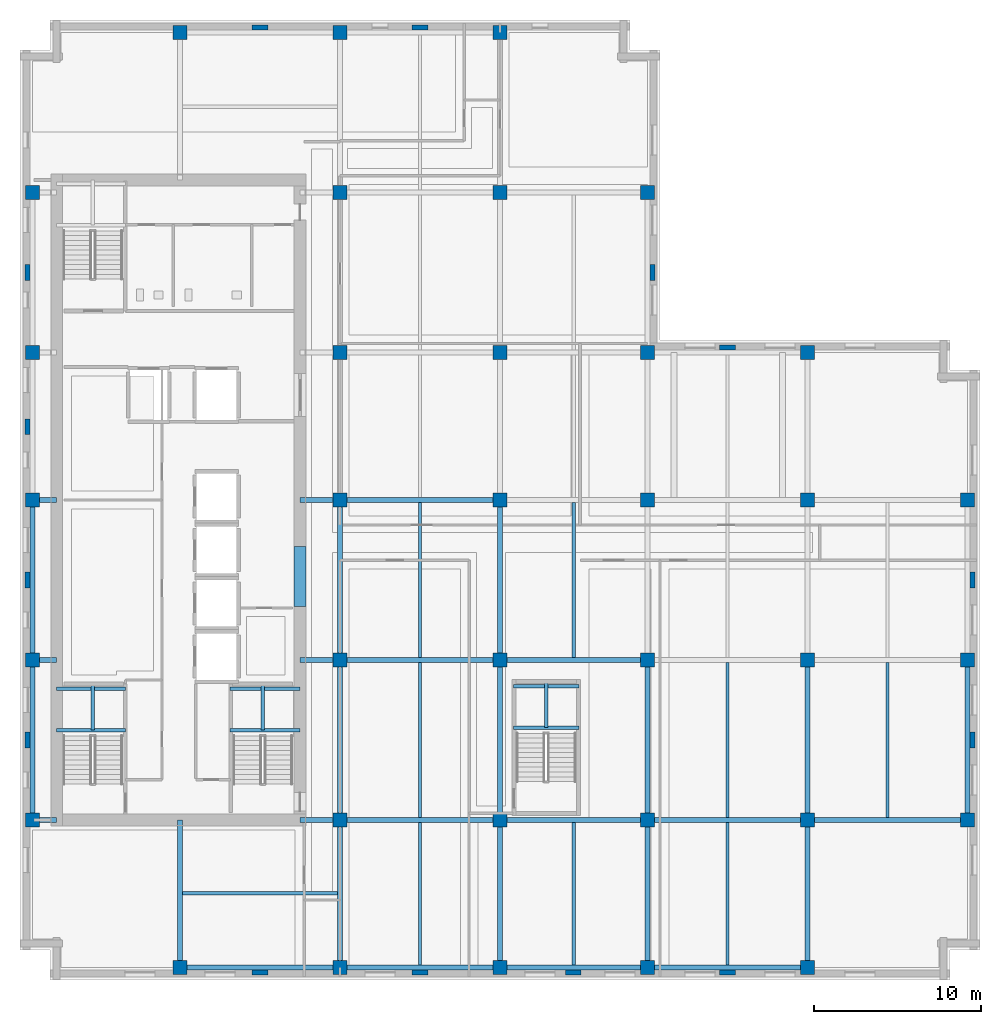
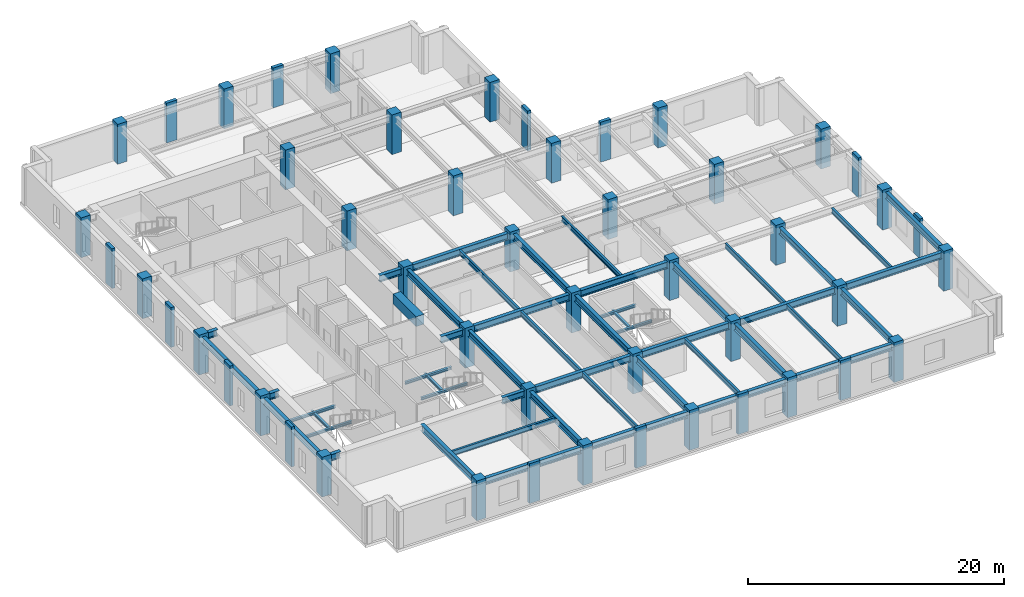
# One storey, part 1 of 14: 50 beams, 49 columns.
"""IFC4 building model written with IfcOpenShell, lengths in metres."""

import ifcopenshell
import ifcopenshell.guid

model = None  # the IFC model being written
_history = None  # IfcOwnerHistory: only IFC2X3 demands one
_inside = {}  # id of a spatial element -> (the spatial element, [elements in it])
_under = {}  # id of a project, library or spatial element -> (it, [spatial elements below it])
_declared = {}  # id of a project -> (the project, [libraries it declares])
_typed = {}  # id of a type object -> (the type object, [elements of that type])
_made_of = {}  # id of a material, layer set ... -> (it, [elements and type objects made of it])


def new_model(schema):
    """Start an empty IFC model of exactly this schema.

    Asked for "IFC4X3", IfcOpenShell would pick the latest addendum, in which some entities
    have other attributes; the version numbers below select the first issue.
    IFC2X3 requires an IfcOwnerHistory on every rooted entity: one is made here for all.
    """
    global model, _history
    if schema == "IFC4X3":
        model = ifcopenshell.file(schema_version=(4, 3, 0, 0))
    else:
        model = ifcopenshell.file(schema=schema)
    _inside.clear()
    _under.clear()
    _declared.clear()
    _typed.clear()
    _made_of.clear()
    _history = None
    if model.schema == "IFC2X3":
        org = make("IfcOrganization", Name="unknown")
        user = make(
            "IfcPersonAndOrganization",
            ThePerson=make("IfcPerson", FamilyName="unknown"),
            TheOrganization=org,
        )
        app = make(
            "IfcApplication",
            ApplicationDeveloper=org,
            Version="unknown",
            ApplicationFullName="unknown",
            ApplicationIdentifier="unknown",
        )
        _history = make(
            "IfcOwnerHistory",
            OwningUser=user,
            OwningApplication=app,
            ChangeAction="ADDED",
            CreationDate=0,
        )
    return model


def make(cls, **values):
    """One entity of the class cls with the attributes given. An attribute that is None is left unset."""
    return model.create_entity(
        cls, **{name: value for name, value in values.items() if value is not None}
    )


def rooted(cls, **values):
    """An entity with a GlobalId (a new one), such as an element, a storey or a relation."""
    return make(cls, GlobalId=ifcopenshell.guid.new(), OwnerHistory=_history, **values)


def si_unit(unit_type, name, prefix=None):
    """IfcSIUnit, for example si_unit("LENGTHUNIT", "METRE", prefix="MILLI")."""
    return make("IfcSIUnit", UnitType=unit_type, Prefix=prefix, Name=name)


def assignment(units):
    """IfcUnitAssignment: the units of a project."""
    return None if units is None else make("IfcUnitAssignment", Units=units)


def point(xyz):
    """IfcCartesianPoint."""
    return None if xyz is None else make("IfcCartesianPoint", Coordinates=xyz)


def direction(xyz):
    """IfcDirection."""
    return None if xyz is None else make("IfcDirection", DirectionRatios=xyz)


def frame(location, z_axis=None, x_axis=None):
    """IfcAxis2Placement3D, a coordinate frame: its origin and axes. An axis left out is left unset."""
    return make(
        "IfcAxis2Placement3D",
        Location=point(location),
        Axis=direction(z_axis),
        RefDirection=direction(x_axis),
    )


def frame_2d(location, x_axis=None):
    """IfcAxis2Placement2D, a coordinate frame in the plane: its origin and x axis."""
    return make(
        "IfcAxis2Placement2D", Location=point(location), RefDirection=direction(x_axis)
    )


def origin():
    """The frame at (0, 0, 0) with its axes left unset."""
    return frame((0.0, 0.0, 0.0))


def origin_2d():
    """The frame at (0, 0) in the plane with its x axis left unset."""
    return frame_2d((0.0, 0.0))


def place(relative_to, where):
    """IfcLocalPlacement: puts the frame where relative to a parent placement (None: the world)."""
    return make(
        "IfcLocalPlacement", PlacementRelTo=relative_to, RelativePlacement=where
    )


def context(
    kind, dimensions, precision=None, world=None, true_north=None, identifier=None
):
    """IfcGeometricRepresentationContext, for example the 3D "Model" context."""
    return make(
        "IfcGeometricRepresentationContext",
        ContextIdentifier=identifier,
        ContextType=kind,
        CoordinateSpaceDimension=dimensions,
        Precision=precision,
        WorldCoordinateSystem=world,
        TrueNorth=true_north,
    )


def subcontext(parent, identifier, kind, view, scale=None):
    """IfcGeometricRepresentationSubContext, for example "Body" below "Model"."""
    return make(
        "IfcGeometricRepresentationSubContext",
        ContextIdentifier=identifier,
        ContextType=kind,
        ParentContext=parent,
        TargetScale=scale,
        TargetView=view,
    )


def project(units=None, contexts=None):
    """IfcProject with its units and contexts."""
    return rooted(
        "IfcProject",
        Name="project",
        RepresentationContexts=contexts,
        UnitsInContext=assignment(units),
    )


def spatial(cls, under=None, at=None, **own):
    """A site, building, storey or space (cls), placed at a placement, below another one or the project."""
    s = rooted(cls, ObjectPlacement=at, **own)
    if under is not None:
        _under.setdefault(under.id(), (under, []))[1].append(s)
    return s


def profile(cls, at=None, kind="AREA", **sizes):
    """A parametric profile (cls). Its sizes go by their IFC names, for example OverallWidth=200.0."""
    return make(cls, ProfileType=kind, Position=at, **sizes)


def rectangle(**sizes):
    """IfcRectangleProfileDef."""
    return profile("IfcRectangleProfileDef", **sizes)


def i_section(**sizes):
    """IfcIShapeProfileDef."""
    return profile("IfcIShapeProfileDef", **sizes)


def extrude(swept, where, along, depth):
    """IfcExtrudedAreaSolid: the profile swept, set in the frame where, extruded along a direction by depth."""
    return make(
        "IfcExtrudedAreaSolid",
        SweptArea=swept,
        Position=where,
        ExtrudedDirection=direction(along),
        Depth=depth,
    )


def shape(context_of_items, identifier, shape_type, items):
    """IfcShapeRepresentation: the items that make up one representation, for example the "Body"."""
    return make(
        "IfcShapeRepresentation",
        ContextOfItems=context_of_items,
        RepresentationIdentifier=identifier,
        RepresentationType=shape_type,
        Items=items,
    )


def material(Name=None, Category=None):
    """IfcMaterial."""
    return make("IfcMaterial", Name=Name, Category=Category)


def material_profile(
    of_material, cross_section, Name=None, Category=None, Priority=None
):
    """IfcMaterialProfile: a cross section and its material."""
    return make(
        "IfcMaterialProfile",
        Name=Name,
        Material=of_material,
        Profile=cross_section,
        Priority=Priority,
        Category=Category,
    )


def profile_set(profiles, Name=None, composite=None):
    """IfcMaterialProfileSet."""
    return make(
        "IfcMaterialProfileSet",
        Name=Name,
        MaterialProfiles=profiles,
        CompositeProfile=composite,
    )


def made_of(thing, what):
    """Note that an element or type object is made of a material, layer set ...; save() writes the relation."""
    if what is not None:
        _made_of.setdefault(what.id(), (what, []))[1].append(thing)
    return thing


def type_object(cls, material=None, **own):
    """A type object (cls), such as IfcWallType, which elements share."""
    return made_of(rooted(cls, **own), material)


def element(
    cls,
    number,
    at=None,
    inside=None,
    cuts=None,
    type_object=None,
    material=None,
    context=None,
    identifier="Body",
    shape_type=None,
    held_by="IfcProductDefinitionShape",
    body=None,
    shapes=None,
    **own,
):
    """One element of the class cls, such as IfcWall. Its Tag is "e" and its number.

    at: its placement. inside: the storey or other place that contains it. cuts: it is an
    opening in that element (IfcRelVoidsElement). A single representation is given by context,
    identifier, shape_type and body (its items); several are given by shapes. held_by: the class
    of the entity that holds the representations. save() writes the other relations.
    """
    e = rooted(cls, Tag="e%d" % number, ObjectPlacement=at, **own)
    if body is not None:
        shapes = [shape(context, identifier, shape_type, body)]
    if shapes is not None:
        e.Representation = make(held_by, Representations=shapes)
    if inside is not None:
        _inside.setdefault(inside.id(), (inside, []))[1].append(e)
    if cuts is not None:
        rooted(
            "IfcRelVoidsElement", RelatingBuildingElement=cuts, RelatedOpeningElement=e
        )
    if type_object is not None:
        _typed.setdefault(type_object.id(), (type_object, []))[1].append(e)
    return made_of(e, material)


def aggregate(whole, parts):
    """IfcRelAggregates: a whole, such as a stair, and the parts it consists of."""
    return rooted("IfcRelAggregates", RelatingObject=whole, RelatedObjects=parts)


def save(model, path):
    """Write the relations noted so far, then the file.

    IfcRelAggregates (storeys below a building ...), IfcRelContainedInSpatialStructure (elements
    in a storey), IfcRelDefinesByType, IfcRelAssociatesMaterial and IfcRelDeclares: one each for
    every whole, place, type object, material and project.
    """
    for whole, parts in _under.values():
        aggregate(whole, parts)
    for where, things in _inside.values():
        rooted(
            "IfcRelContainedInSpatialStructure",
            RelatedElements=things,
            RelatingStructure=where,
        )
    for kind, things in _typed.values():
        rooted("IfcRelDefinesByType", RelatedObjects=things, RelatingType=kind)
    for what, things in _made_of.values():
        rooted("IfcRelAssociatesMaterial", RelatedObjects=things, RelatingMaterial=what)
    for by, libraries in _declared.values():
        rooted("IfcRelDeclares", RelatingContext=by, RelatedDefinitions=libraries)
    model.write(path)


model = new_model("IFC4")

# Units and contexts
model_context = context("Model", 3, precision=1e-05, world=origin(), true_north=direction((0.0, 1.0)))
body_context = subcontext(model_context, "Body", "Model", "MODEL_VIEW")
ifc_project = project(units=[si_unit("LENGTHUNIT", "METRE"), si_unit("AREAUNIT", "SQUARE_METRE"), si_unit("VOLUMEUNIT", "CUBIC_METRE"), si_unit("PLANEANGLEUNIT", "RADIAN"), si_unit("MASSUNIT", "GRAM", prefix="KILO")], contexts=[model_context])

# Site, building, storey
site_placement = place(None, origin())
site = spatial("IfcSite", under=ifc_project, at=site_placement, CompositionType="ELEMENT")
building_placement = place(site_placement, origin())
building = spatial("IfcBuilding", under=site, at=building_placement, Name="Norrvale University Quadrangle", CompositionType="ELEMENT")
storey_placement = place(building_placement, frame((0.0, 0.0, 218.0)))
storey = spatial("IfcBuildingStorey", under=building, at=storey_placement, Name="L55", CompositionType="ELEMENT", Elevation=218.0)

# Columns
ifc_material_1 = material(Name="Red Manganese Brick Concrete C60/75", Category="concrete")
ifc_material_profile_1 = material_profile(ifc_material_1, rectangle(XDim=0.949951171875, YDim=0.300048828125, at=origin_2d()), Name="Red Manganese Brick Concrete C60/75")
ifc_profile_set_1 = profile_set([ifc_material_profile_1], Name="Red Manganese Brick Concrete C60/75")
column_type_1 = type_object("IfcColumnType", Name="Column Brick Pier 950x300", PredefinedType="PILASTER", material=ifc_profile_set_1)
for number, where, z_axis, x_axis, name in (
    (1, (0.449951171875, 14.39990234375, 0.0), (0.0, 0.0, 1.0), (0.0, 1.0, 0.0), "Exterior Brick Facade Pilaster L55-01"),
    (2, (0.449951171875, 24.0, 0.0), (0.0, 0.0, 1.0), (0.0, 1.0, 0.0), "Exterior Brick Facade Pilaster L55-02"),
    (3, (0.449951171875, 33.199951171875, 0.0), (0.0, 0.0, 1.0), (0.0, 1.0, 0.0), "Exterior Brick Facade Pilaster L55-03"),
    (4, (0.449951171875, 42.449951171875, 0.0), (0.0, 0.0, 1.0), (0.0, 1.0, 0.0), "Exterior Brick Facade Pilaster L55-04"),
    (5, (14.39990234375, 0.449951171875, 0.0), (0.0, 0.0, 1.0), (1.0, 0.0, 0.0), "Exterior Brick Facade Pilaster L55-05"),
    (6, (24.0, 0.449951171875, 0.0), (0.0, 0.0, 1.0), (1.0, 0.0, 0.0), "Exterior Brick Facade Pilaster L55-06"),
    (7, (33.199951171875, 0.449951171875, 0.0), (0.0, 0.0, 1.0), (1.0, 0.0, 0.0), "Exterior Brick Facade Pilaster L55-07"),
    (8, (42.449951171875, 0.449951171875, 0.0), (0.0, 0.0, 1.0), (1.0, 0.0, 0.0), "Exterior Brick Facade Pilaster L55-08"),
    (9, (57.14990234375, 14.39990234375, 0.0), (0.0, 0.0, 1.0), (0.0, 1.0, 0.0), "Exterior Brick Facade Pilaster L55-09"),
    (10, (57.14990234375, 24.0, 0.0), (0.0, 0.0, 1.0), (0.0, 1.0, 0.0), "Exterior Brick Facade Pilaster L55-10"),
    (11, (14.39990234375, 57.14990234375, 0.0), (0.0, 0.0, 1.0), (1.0, 0.0, 0.0), "Exterior Brick Facade Pilaster L55-11"),
    (12, (24.0, 57.14990234375, 0.0), (0.0, 0.0, 1.0), (1.0, 0.0, 0.0), "Exterior Brick Facade Pilaster L55-12"),
    (13, (37.949951171875, 42.449951171875, 0.0), (0.0, 0.0, 1.0), (0.0, 1.0, 0.0), "Exterior Brick Facade Pilaster L55-13"),
    (14, (42.449951171875, 37.949951171875, 0.0), (0.0, 0.0, 1.0), (1.0, 0.0, 0.0), "Exterior Brick Facade Pilaster L55-14"),
):
    element("IfcColumn", number, at=place(storey_placement, frame(where, z_axis=z_axis, x_axis=x_axis)), inside=storey, type_object=column_type_1, Name=name, PredefinedType="PILASTER", context=body_context, shape_type="SweptSolid", body=[
        extrude(rectangle(XDim=0.949951171875, YDim=0.300048828125, at=origin_2d()), origin(), (0.0, 0.0, 1.0), 3.800048828125),
    ])
ifc_material_2 = material(Name="Concrete C60/75", Category="concrete")
ifc_material_profile_2 = material_profile(ifc_material_2, rectangle(XDim=0.85009765625, YDim=0.85009765625, at=origin_2d()), Name="Concrete C60/75")
ifc_profile_set_2 = profile_set([ifc_material_profile_2], Name="Concrete C60/75")
column_type_2 = type_object("IfcColumnType", Name="Column Tower Z3 850x850", PredefinedType="COLUMN", material=ifc_profile_set_2)
for number, where, z_axis, x_axis, name in (
    (15, (0.75, 9.60009765625, 0.0), (0.0, 0.0, 1.0), (1.0, 0.0, 0.0), "Tower Column L55-T01"),
    (16, (0.75, 19.199951171875, 0.0), (0.0, 0.0, 1.0), (1.0, 0.0, 0.0), "Tower Column L55-T02"),
    (17, (0.75, 28.800048828125, 0.0), (0.0, 0.0, 1.0), (1.0, 0.0, 0.0), "Tower Column L55-T03"),
    (18, (0.75, 37.64990234375, 0.0), (0.0, 0.0, 1.0), (1.0, 0.0, 0.0), "Tower Column L55-T04"),
    (19, (0.75, 47.25, 0.0), (0.0, 0.0, 1.0), (1.0, 0.0, 0.0), "Tower Column L55-T05"),
    (20, (9.60009765625, 0.75, 0.0), (0.0, 0.0, 1.0), (1.0, 0.0, 0.0), "Tower Column L55-T06"),
    (21, (9.60009765625, 56.85009765625, 0.0), (0.0, 0.0, 1.0), (1.0, 0.0, 0.0), "Tower Column L55-T07"),
    (22, (19.199951171875, 0.75, 0.0), (0.0, 0.0, 1.0), (1.0, 0.0, 0.0), "Tower Column L55-T08"),
    (23, (19.199951171875, 9.60009765625, 0.0), (0.0, 0.0, 1.0), (1.0, 0.0, 0.0), "Tower Column L55-T09"),
    (24, (19.199951171875, 19.199951171875, 0.0), (0.0, 0.0, 1.0), (1.0, 0.0, 0.0), "Tower Column L55-T10"),
    (25, (19.199951171875, 28.800048828125, 0.0), (0.0, 0.0, 1.0), (1.0, 0.0, 0.0), "Tower Column L55-T11"),
    (26, (19.199951171875, 37.64990234375, 0.0), (0.0, 0.0, 1.0), (1.0, 0.0, 0.0), "Tower Column L55-T12"),
    (27, (19.199951171875, 47.25, 0.0), (0.0, 0.0, 1.0), (1.0, 0.0, 0.0), "Tower Column L55-T13"),
    (28, (19.199951171875, 56.85009765625, 0.0), (0.0, 0.0, 1.0), (1.0, 0.0, 0.0), "Tower Column L55-T14"),
    (29, (28.800048828125, 0.75, 0.0), (0.0, 0.0, 1.0), (1.0, 0.0, 0.0), "Tower Column L55-T15"),
    (30, (28.800048828125, 9.60009765625, 0.0), (0.0, 0.0, 1.0), (1.0, 0.0, 0.0), "Tower Column L55-T16"),
    (31, (28.800048828125, 19.199951171875, 0.0), (0.0, 0.0, 1.0), (1.0, 0.0, 0.0), "Tower Column L55-T17"),
    (32, (28.800048828125, 28.800048828125, 0.0), (0.0, 0.0, 1.0), (1.0, 0.0, 0.0), "Tower Column L55-T18"),
    (33, (28.800048828125, 37.64990234375, 0.0), (0.0, 0.0, 1.0), (1.0, 0.0, 0.0), "Tower Column L55-T19"),
    (34, (28.800048828125, 47.25, 0.0), (0.0, 0.0, 1.0), (1.0, 0.0, 0.0), "Tower Column L55-T20"),
    (35, (28.800048828125, 56.85009765625, 0.0), (0.0, 0.0, 1.0), (1.0, 0.0, 0.0), "Tower Column L55-T21"),
    (36, (37.64990234375, 0.75, 0.0), (0.0, 0.0, 1.0), (1.0, 0.0, 0.0), "Tower Column L55-T22"),
    (37, (37.64990234375, 9.60009765625, 0.0), (0.0, 0.0, 1.0), (1.0, 0.0, 0.0), "Tower Column L55-T23"),
    (38, (37.64990234375, 19.199951171875, 0.0), (0.0, 0.0, 1.0), (1.0, 0.0, 0.0), "Tower Column L55-T24"),
    (39, (37.64990234375, 28.800048828125, 0.0), (0.0, 0.0, 1.0), (1.0, 0.0, 0.0), "Tower Column L55-T25"),
    (40, (37.64990234375, 37.64990234375, 0.0), (0.0, 0.0, 1.0), (1.0, 0.0, 0.0), "Tower Column L55-T26"),
    (41, (37.64990234375, 47.25, 0.0), (0.0, 0.0, 1.0), (1.0, 0.0, 0.0), "Tower Column L55-T27"),
    (42, (47.25, 0.75, 0.0), (0.0, 0.0, 1.0), (1.0, 0.0, 0.0), "Tower Column L55-T28"),
    (43, (47.25, 9.60009765625, 0.0), (0.0, 0.0, 1.0), (1.0, 0.0, 0.0), "Tower Column L55-T29"),
    (44, (47.25, 19.199951171875, 0.0), (0.0, 0.0, 1.0), (1.0, 0.0, 0.0), "Tower Column L55-T30"),
    (45, (47.25, 28.800048828125, 0.0), (0.0, 0.0, 1.0), (1.0, 0.0, 0.0), "Tower Column L55-T31"),
    (46, (47.25, 37.64990234375, 0.0), (0.0, 0.0, 1.0), (1.0, 0.0, 0.0), "Tower Column L55-T32"),
    (47, (56.85009765625, 9.60009765625, 0.0), (0.0, 0.0, 1.0), (1.0, 0.0, 0.0), "Tower Column L55-T33"),
    (48, (56.85009765625, 19.199951171875, 0.0), (0.0, 0.0, 1.0), (1.0, 0.0, 0.0), "Tower Column L55-T34"),
    (49, (56.85009765625, 28.800048828125, 0.0), (0.0, 0.0, 1.0), (1.0, 0.0, 0.0), "Tower Column L55-T35"),
):
    element("IfcColumn", number, at=place(storey_placement, frame(where, z_axis=z_axis, x_axis=x_axis)), inside=storey, type_object=column_type_2, Name=name, PredefinedType="COLUMN", context=body_context, shape_type="SweptSolid", body=[
        extrude(rectangle(XDim=0.85009765625, YDim=0.85009765625, at=origin_2d()), origin(), (0.0, 0.0, 1.0), 3.800048828125),
    ])

# Beams
ifc_material_3 = material(Name="Steel 350W", Category="steel")
ifc_material_profile_3 = material_profile(ifc_material_3, i_section(OverallWidth=0.324951171875, OverallDepth=0.615966796875, WebThickness=0.013916015625, FlangeThickness=0.021484375, FilletRadius=0.01611328125, at=origin_2d()), Name="Steel 350W")
ifc_profile_set_3 = profile_set([ifc_material_profile_3], Name="Steel 350W")
beam_type_1 = type_object("IfcBeamType", Name="Beam Belt W610x174", PredefinedType="BEAM", material=ifc_profile_set_3)
beam_1_placement = place(storey_placement, frame((9.60009765625, 0.75, 3.23193359375), z_axis=(1.0, 0.0, 0.0), x_axis=(0.0, 1.0, 0.0)))
element("IfcBeam", 50, at=beam_1_placement, inside=storey, type_object=beam_type_1, Name="Beam Belt W610x174 BM-L55-GX001", PredefinedType="BEAM", context=body_context, shape_type="SweptSolid", body=[
    extrude(i_section(OverallWidth=0.324951171875, OverallDepth=0.615966796875, WebThickness=0.013916015625, FlangeThickness=0.021484375, FilletRadius=0.01611328125, at=origin_2d()), origin(), (0.0, 0.0, 1.0), 9.599853515625),
])
beam_2_placement = place(storey_placement, frame((19.199951171875, 0.75, 3.23193359375), z_axis=(1.0, 0.0, 0.0), x_axis=(0.0, 1.0, 0.0)))
element("IfcBeam", 51, at=beam_2_placement, inside=storey, type_object=beam_type_1, Name="Beam Belt W610x174 BM-L55-GX002", PredefinedType="BEAM", context=body_context, shape_type="SweptSolid", body=[
    extrude(i_section(OverallWidth=0.324951171875, OverallDepth=0.615966796875, WebThickness=0.013916015625, FlangeThickness=0.021484375, FilletRadius=0.01611328125, at=origin_2d()), origin(), (0.0, 0.0, 1.0), 9.60009765625),
])
beam_3_placement = place(storey_placement, frame((28.800048828125, 0.75, 3.23193359375), z_axis=(1.0, 0.0, 0.0), x_axis=(0.0, 1.0, 0.0)))
element("IfcBeam", 52, at=beam_3_placement, inside=storey, type_object=beam_type_1, Name="Beam Belt W610x174 BM-L55-GX003", PredefinedType="BEAM", context=body_context, shape_type="SweptSolid", body=[
    extrude(i_section(OverallWidth=0.324951171875, OverallDepth=0.615966796875, WebThickness=0.013916015625, FlangeThickness=0.021484375, FilletRadius=0.01611328125, at=origin_2d()), origin(), (0.0, 0.0, 1.0), 8.849853515625),
])
for number, where, z_axis, x_axis, name in (
    (53, (37.64990234375, 0.75, 3.23193359375), (1.0, 0.0, 0.0), (0.0, 1.0, 0.0), "Beam Belt W610x174 BM-L55-GX004"),
    (54, (19.199951171875, 9.60009765625, 3.23193359375), (1.0, 0.0, 0.0), (0.0, 1.0, 0.0), "Beam Belt W610x174 BM-L55-GX005"),
):
    element("IfcBeam", number, at=place(storey_placement, frame(where, z_axis=z_axis, x_axis=x_axis)), inside=storey, type_object=beam_type_1, Name=name, PredefinedType="BEAM", context=body_context, shape_type="SweptSolid", body=[
        extrude(i_section(OverallWidth=0.324951171875, OverallDepth=0.615966796875, WebThickness=0.013916015625, FlangeThickness=0.021484375, FilletRadius=0.01611328125, at=origin_2d()), origin(), (0.0, 0.0, 1.0), 9.60009765625),
    ])
beam_4_placement = place(storey_placement, frame((28.800048828125, 9.60009765625, 3.23193359375), z_axis=(1.0, 0.0, 0.0), x_axis=(0.0, 1.0, 0.0)))
element("IfcBeam", 55, at=beam_4_placement, inside=storey, type_object=beam_type_1, Name="Beam Belt W610x174 BM-L55-GX006", PredefinedType="BEAM", context=body_context, shape_type="SweptSolid", body=[
    extrude(i_section(OverallWidth=0.324951171875, OverallDepth=0.615966796875, WebThickness=0.013916015625, FlangeThickness=0.021484375, FilletRadius=0.01611328125, at=origin_2d()), origin(), (0.0, 0.0, 1.0), 8.849853515625),
])
for number, where, z_axis, x_axis, name in (
    (56, (37.64990234375, 9.60009765625, 3.23193359375), (1.0, 0.0, 0.0), (0.0, 1.0, 0.0), "Beam Belt W610x174 BM-L55-GX007"),
    (57, (47.25, 9.60009765625, 3.23193359375), (1.0, 0.0, 0.0), (0.0, 1.0, 0.0), "Beam Belt W610x174 BM-L55-GX008"),
    (58, (19.199951171875, 19.199951171875, 3.23193359375), (1.0, 0.0, 0.0), (0.0, 1.0, 0.0), "Beam Belt W610x174 BM-L55-GX009"),
):
    element("IfcBeam", number, at=place(storey_placement, frame(where, z_axis=z_axis, x_axis=x_axis)), inside=storey, type_object=beam_type_1, Name=name, PredefinedType="BEAM", context=body_context, shape_type="SweptSolid", body=[
        extrude(i_section(OverallWidth=0.324951171875, OverallDepth=0.615966796875, WebThickness=0.013916015625, FlangeThickness=0.021484375, FilletRadius=0.01611328125, at=origin_2d()), origin(), (0.0, 0.0, 1.0), 9.60009765625),
    ])
beam_5_placement = place(storey_placement, frame((28.800048828125, 19.199951171875, 3.23193359375), z_axis=(1.0, 0.0, 0.0), x_axis=(0.0, 1.0, 0.0)))
element("IfcBeam", 59, at=beam_5_placement, inside=storey, type_object=beam_type_1, Name="Beam Belt W610x174 BM-L55-GX010", PredefinedType="BEAM", context=body_context, shape_type="SweptSolid", body=[
    extrude(i_section(OverallWidth=0.324951171875, OverallDepth=0.615966796875, WebThickness=0.013916015625, FlangeThickness=0.021484375, FilletRadius=0.01611328125, at=origin_2d()), origin(), (0.0, 0.0, 1.0), 8.849853515625),
])
beam_6_placement = place(storey_placement, frame((19.199951171875, 28.800048828125, 3.23193359375), z_axis=(1.0, 0.0, 0.0), x_axis=(0.0, 1.0, 0.0)))
element("IfcBeam", 60, at=beam_6_placement, inside=storey, type_object=beam_type_1, Name="Beam Belt W610x174 BM-L55-GX013", PredefinedType="BEAM", context=body_context, shape_type="SweptSolid", body=[
    extrude(i_section(OverallWidth=0.324951171875, OverallDepth=0.615966796875, WebThickness=0.013916015625, FlangeThickness=0.021484375, FilletRadius=0.01611328125, at=origin_2d()), origin(), (0.0, 0.0, 1.0), 9.60009765625),
])
beam_7_placement = place(storey_placement, frame((0.75, 9.60009765625, 3.23193359375), z_axis=(0.0, 1.0, 0.0), x_axis=(-1.0, 0.0, 0.0)))
element("IfcBeam", 61, at=beam_7_placement, inside=storey, type_object=beam_type_1, Name="Beam Belt W610x174 BM-L55-GY024", PredefinedType="BEAM", context=body_context, shape_type="SweptSolid", body=[
    extrude(i_section(OverallWidth=0.324951171875, OverallDepth=0.615966796875, WebThickness=0.013916015625, FlangeThickness=0.021484375, FilletRadius=0.01611328125, at=origin_2d()), origin(), (0.0, 0.0, 1.0), 9.599853515625),
])
beam_8_placement = place(storey_placement, frame((0.75, 19.199951171875, 3.23193359375), z_axis=(0.0, 1.0, 0.0), x_axis=(-1.0, 0.0, 0.0)))
element("IfcBeam", 62, at=beam_8_placement, inside=storey, type_object=beam_type_1, Name="Beam Belt W610x174 BM-L55-GY025", PredefinedType="BEAM", context=body_context, shape_type="SweptSolid", body=[
    extrude(i_section(OverallWidth=0.324951171875, OverallDepth=0.615966796875, WebThickness=0.013916015625, FlangeThickness=0.021484375, FilletRadius=0.01611328125, at=origin_2d()), origin(), (0.0, 0.0, 1.0), 9.60009765625),
])
beam_9_placement = place(storey_placement, frame((19.199951171875, 0.75, 3.23193359375), z_axis=(0.0, 1.0, 0.0), x_axis=(-1.0, 0.0, 0.0)))
element("IfcBeam", 63, at=beam_9_placement, inside=storey, type_object=beam_type_1, Name="Beam Belt W610x174 BM-L55-GY028", PredefinedType="BEAM", context=body_context, shape_type="SweptSolid", body=[
    extrude(i_section(OverallWidth=0.324951171875, OverallDepth=0.615966796875, WebThickness=0.013916015625, FlangeThickness=0.021484375, FilletRadius=0.01611328125, at=origin_2d()), origin(), (0.0, 0.0, 1.0), 8.85009765625),
])
beam_10_placement = place(storey_placement, frame((19.199951171875, 9.60009765625, 3.23193359375), z_axis=(0.0, 1.0, 0.0), x_axis=(-1.0, 0.0, 0.0)))
element("IfcBeam", 64, at=beam_10_placement, inside=storey, type_object=beam_type_1, Name="Beam Belt W610x174 BM-L55-GY029", PredefinedType="BEAM", context=body_context, shape_type="SweptSolid", body=[
    extrude(i_section(OverallWidth=0.324951171875, OverallDepth=0.615966796875, WebThickness=0.013916015625, FlangeThickness=0.021484375, FilletRadius=0.01611328125, at=origin_2d()), origin(), (0.0, 0.0, 1.0), 9.599853515625),
])
beam_11_placement = place(storey_placement, frame((19.199951171875, 19.199951171875, 3.23193359375), z_axis=(0.0, 1.0, 0.0), x_axis=(-1.0, 0.0, 0.0)))
element("IfcBeam", 65, at=beam_11_placement, inside=storey, type_object=beam_type_1, Name="Beam Belt W610x174 BM-L55-GY030", PredefinedType="BEAM", context=body_context, shape_type="SweptSolid", body=[
    extrude(i_section(OverallWidth=0.324951171875, OverallDepth=0.615966796875, WebThickness=0.013916015625, FlangeThickness=0.021484375, FilletRadius=0.01611328125, at=origin_2d()), origin(), (0.0, 0.0, 1.0), 9.60009765625),
])
beam_12_placement = place(storey_placement, frame((28.800048828125, 0.75, 3.23193359375), z_axis=(0.0, 1.0, 0.0), x_axis=(-1.0, 0.0, 0.0)))
element("IfcBeam", 66, at=beam_12_placement, inside=storey, type_object=beam_type_1, Name="Beam Belt W610x174 BM-L55-GY034", PredefinedType="BEAM", context=body_context, shape_type="SweptSolid", body=[
    extrude(i_section(OverallWidth=0.324951171875, OverallDepth=0.615966796875, WebThickness=0.013916015625, FlangeThickness=0.021484375, FilletRadius=0.01611328125, at=origin_2d()), origin(), (0.0, 0.0, 1.0), 8.85009765625),
])
beam_13_placement = place(storey_placement, frame((28.800048828125, 9.60009765625, 3.23193359375), z_axis=(0.0, 1.0, 0.0), x_axis=(-1.0, 0.0, 0.0)))
element("IfcBeam", 67, at=beam_13_placement, inside=storey, type_object=beam_type_1, Name="Beam Belt W610x174 BM-L55-GY035", PredefinedType="BEAM", context=body_context, shape_type="SweptSolid", body=[
    extrude(i_section(OverallWidth=0.324951171875, OverallDepth=0.615966796875, WebThickness=0.013916015625, FlangeThickness=0.021484375, FilletRadius=0.01611328125, at=origin_2d()), origin(), (0.0, 0.0, 1.0), 9.599853515625),
])
beam_14_placement = place(storey_placement, frame((28.800048828125, 19.199951171875, 3.23193359375), z_axis=(0.0, 1.0, 0.0), x_axis=(-1.0, 0.0, 0.0)))
element("IfcBeam", 68, at=beam_14_placement, inside=storey, type_object=beam_type_1, Name="Beam Belt W610x174 BM-L55-GY036", PredefinedType="BEAM", context=body_context, shape_type="SweptSolid", body=[
    extrude(i_section(OverallWidth=0.324951171875, OverallDepth=0.615966796875, WebThickness=0.013916015625, FlangeThickness=0.021484375, FilletRadius=0.01611328125, at=origin_2d()), origin(), (0.0, 0.0, 1.0), 9.60009765625),
])
beam_15_placement = place(storey_placement, frame((37.64990234375, 0.75, 3.23193359375), z_axis=(0.0, 1.0, 0.0), x_axis=(-1.0, 0.0, 0.0)))
element("IfcBeam", 69, at=beam_15_placement, inside=storey, type_object=beam_type_1, Name="Beam Belt W610x174 BM-L55-GY040", PredefinedType="BEAM", context=body_context, shape_type="SweptSolid", body=[
    extrude(i_section(OverallWidth=0.324951171875, OverallDepth=0.615966796875, WebThickness=0.013916015625, FlangeThickness=0.021484375, FilletRadius=0.01611328125, at=origin_2d()), origin(), (0.0, 0.0, 1.0), 8.85009765625),
])
beam_16_placement = place(storey_placement, frame((37.64990234375, 9.60009765625, 3.23193359375), z_axis=(0.0, 1.0, 0.0), x_axis=(-1.0, 0.0, 0.0)))
element("IfcBeam", 70, at=beam_16_placement, inside=storey, type_object=beam_type_1, Name="Beam Belt W610x174 BM-L55-GY041", PredefinedType="BEAM", context=body_context, shape_type="SweptSolid", body=[
    extrude(i_section(OverallWidth=0.324951171875, OverallDepth=0.615966796875, WebThickness=0.013916015625, FlangeThickness=0.021484375, FilletRadius=0.01611328125, at=origin_2d()), origin(), (0.0, 0.0, 1.0), 9.599853515625),
])
beam_17_placement = place(storey_placement, frame((47.25, 0.75, 3.23193359375), z_axis=(0.0, 1.0, 0.0), x_axis=(-1.0, 0.0, 0.0)))
element("IfcBeam", 71, at=beam_17_placement, inside=storey, type_object=beam_type_1, Name="Beam Belt W610x174 BM-L55-GY045", PredefinedType="BEAM", context=body_context, shape_type="SweptSolid", body=[
    extrude(i_section(OverallWidth=0.324951171875, OverallDepth=0.615966796875, WebThickness=0.013916015625, FlangeThickness=0.021484375, FilletRadius=0.01611328125, at=origin_2d()), origin(), (0.0, 0.0, 1.0), 8.85009765625),
])
for number, where, z_axis, x_axis, name in (
    (72, (47.25, 9.60009765625, 3.23193359375), (0.0, 1.0, 0.0), (-1.0, 0.0, 0.0), "Beam Belt W610x174 BM-L55-GY046"),
    (73, (56.85009765625, 9.60009765625, 3.23193359375), (0.0, 1.0, 0.0), (-1.0, 0.0, 0.0), "Beam Belt W610x174 BM-L55-GY049"),
):
    element("IfcBeam", number, at=place(storey_placement, frame(where, z_axis=z_axis, x_axis=x_axis)), inside=storey, type_object=beam_type_1, Name=name, PredefinedType="BEAM", context=body_context, shape_type="SweptSolid", body=[
        extrude(i_section(OverallWidth=0.324951171875, OverallDepth=0.615966796875, WebThickness=0.013916015625, FlangeThickness=0.021484375, FilletRadius=0.01611328125, at=origin_2d()), origin(), (0.0, 0.0, 1.0), 9.599853515625),
    ])
beam_18_placement = place(storey_placement, frame((0.75, 9.60009765625, 3.23193359375), z_axis=(1.0, 0.0, 0.0), x_axis=(0.0, 1.0, 0.0)))
element("IfcBeam", 74, at=beam_18_placement, inside=storey, type_object=beam_type_1, Name="Beam Belt W610x174 BM-L55-GCW051", PredefinedType="BEAM", context=body_context, shape_type="SweptSolid", body=[
    extrude(i_section(OverallWidth=0.324951171875, OverallDepth=0.615966796875, WebThickness=0.013916015625, FlangeThickness=0.021484375, FilletRadius=0.01611328125, at=origin_2d()), origin(), (0.0, 0.0, 1.0), 1.449951171875),
])
beam_19_placement = place(storey_placement, frame((16.800048828125, 9.60009765625, 3.23193359375), z_axis=(1.0, 0.0, 0.0), x_axis=(0.0, 1.0, 0.0)))
element("IfcBeam", 75, at=beam_19_placement, inside=storey, type_object=beam_type_1, Name="Beam Belt W610x174 BM-L55-GCE052", PredefinedType="BEAM", context=body_context, shape_type="SweptSolid", body=[
    extrude(i_section(OverallWidth=0.324951171875, OverallDepth=0.615966796875, WebThickness=0.013916015625, FlangeThickness=0.021484375, FilletRadius=0.01611328125, at=origin_2d()), origin(), (0.0, 0.0, 1.0), 2.39990234375),
])
beam_20_placement = place(storey_placement, frame((0.75, 19.199951171875, 3.23193359375), z_axis=(1.0, 0.0, 0.0), x_axis=(0.0, 1.0, 0.0)))
element("IfcBeam", 76, at=beam_20_placement, inside=storey, type_object=beam_type_1, Name="Beam Belt W610x174 BM-L55-GCW053", PredefinedType="BEAM", context=body_context, shape_type="SweptSolid", body=[
    extrude(i_section(OverallWidth=0.324951171875, OverallDepth=0.615966796875, WebThickness=0.013916015625, FlangeThickness=0.021484375, FilletRadius=0.01611328125, at=origin_2d()), origin(), (0.0, 0.0, 1.0), 1.449951171875),
])
beam_21_placement = place(storey_placement, frame((16.800048828125, 19.199951171875, 3.23193359375), z_axis=(1.0, 0.0, 0.0), x_axis=(0.0, 1.0, 0.0)))
element("IfcBeam", 77, at=beam_21_placement, inside=storey, type_object=beam_type_1, Name="Beam Belt W610x174 BM-L55-GCE054", PredefinedType="BEAM", context=body_context, shape_type="SweptSolid", body=[
    extrude(i_section(OverallWidth=0.324951171875, OverallDepth=0.615966796875, WebThickness=0.013916015625, FlangeThickness=0.021484375, FilletRadius=0.01611328125, at=origin_2d()), origin(), (0.0, 0.0, 1.0), 2.39990234375),
])
beam_22_placement = place(storey_placement, frame((0.75, 28.800048828125, 3.23193359375), z_axis=(1.0, 0.0, 0.0), x_axis=(0.0, 1.0, 0.0)))
element("IfcBeam", 78, at=beam_22_placement, inside=storey, type_object=beam_type_1, Name="Beam Belt W610x174 BM-L55-GCW055", PredefinedType="BEAM", context=body_context, shape_type="SweptSolid", body=[
    extrude(i_section(OverallWidth=0.324951171875, OverallDepth=0.615966796875, WebThickness=0.013916015625, FlangeThickness=0.021484375, FilletRadius=0.01611328125, at=origin_2d()), origin(), (0.0, 0.0, 1.0), 1.449951171875),
])
beam_23_placement = place(storey_placement, frame((16.800048828125, 28.800048828125, 3.23193359375), z_axis=(1.0, 0.0, 0.0), x_axis=(0.0, 1.0, 0.0)))
element("IfcBeam", 79, at=beam_23_placement, inside=storey, type_object=beam_type_1, Name="Beam Belt W610x174 BM-L55-GCE056", PredefinedType="BEAM", context=body_context, shape_type="SweptSolid", body=[
    extrude(i_section(OverallWidth=0.324951171875, OverallDepth=0.615966796875, WebThickness=0.013916015625, FlangeThickness=0.021484375, FilletRadius=0.01611328125, at=origin_2d()), origin(), (0.0, 0.0, 1.0), 2.39990234375),
])
beam_24_placement = place(storey_placement, frame((9.60009765625, 0.75, 3.23193359375), z_axis=(0.0, 1.0, 0.0), x_axis=(-1.0, 0.0, 0.0)))
element("IfcBeam", 80, at=beam_24_placement, inside=storey, type_object=beam_type_1, Name="Beam Belt W610x174 BM-L55-GCS077", PredefinedType="BEAM", context=body_context, shape_type="SweptSolid", body=[
    extrude(i_section(OverallWidth=0.324951171875, OverallDepth=0.615966796875, WebThickness=0.013916015625, FlangeThickness=0.021484375, FilletRadius=0.01611328125, at=origin_2d()), origin(), (0.0, 0.0, 1.0), 8.85009765625),
])
ifc_material_4 = material(Name="Concrete C80/95", Category="concrete")
ifc_material_profile_4 = material_profile(ifc_material_4, rectangle(XDim=0.699951171875, YDim=0.949951171875, at=origin_2d()), Name="Concrete C80/95")
ifc_profile_set_4 = profile_set([ifc_material_profile_4], Name="Concrete C80/95")
beam_type_2 = type_object("IfcBeamType", Name="Beam Core Link 700x950", PredefinedType="LINTEL", material=ifc_profile_set_4)
beam_25_placement = place(storey_placement, frame((16.800048828125, 22.39990234375, 3.06494140625), z_axis=(0.0, 1.0, 0.0), x_axis=(-1.0, 0.0, 0.0)))
element("IfcBeam", 81, at=beam_25_placement, inside=storey, type_object=beam_type_2, Name="Core Coupling Lintel Beam L55-1", PredefinedType="LINTEL", context=body_context, shape_type="SweptSolid", body=[
    extrude(rectangle(XDim=0.699951171875, YDim=0.949951171875, at=origin_2d()), origin(), (0.0, 0.0, 1.0), 3.60009765625),
])
ifc_material_profile_5 = material_profile(ifc_material_3, i_section(OverallWidth=0.194091796875, OverallDepth=0.468994140625, WebThickness=0.0126953125, FlangeThickness=0.0205078125, FilletRadius=0.012939453125, at=origin_2d()), Name="Steel 350W")
ifc_profile_set_5 = profile_set([ifc_material_profile_5], Name="Steel 350W")
beam_type_3 = type_object("IfcBeamType", Name="Beam Floor W460x106", PredefinedType="BEAM", material=ifc_profile_set_5)
beam_26_placement = place(storey_placement, frame((24.0, 0.91259765625, 3.305419921875), z_axis=(0.0, 1.0, 0.0), x_axis=(-1.0, 0.0, 0.0)))
element("IfcBeam", 82, at=beam_26_placement, inside=storey, type_object=beam_type_3, Name="Beam Floor W460x106 BM-L55-J061", PredefinedType="BEAM", context=body_context, shape_type="SweptSolid", body=[
    extrude(i_section(OverallWidth=0.194091796875, OverallDepth=0.468994140625, WebThickness=0.0126953125, FlangeThickness=0.0205078125, FilletRadius=0.012939453125, at=origin_2d()), origin(), (0.0, 0.0, 1.0), 8.52490234375),
])
beam_27_placement = place(storey_placement, frame((24.0, 9.762451171875, 3.305419921875), z_axis=(0.0, 1.0, 0.0), x_axis=(-1.0, 0.0, 0.0)))
element("IfcBeam", 83, at=beam_27_placement, inside=storey, type_object=beam_type_3, Name="Beam Floor W460x106 BM-L55-J062", PredefinedType="BEAM", context=body_context, shape_type="SweptSolid", body=[
    extrude(i_section(OverallWidth=0.194091796875, OverallDepth=0.468994140625, WebThickness=0.0126953125, FlangeThickness=0.0205078125, FilletRadius=0.012939453125, at=origin_2d()), origin(), (0.0, 0.0, 1.0), 9.275146484375),
])
beam_28_placement = place(storey_placement, frame((24.0, 19.362548828125, 3.305419921875), z_axis=(0.0, 1.0, 0.0), x_axis=(-1.0, 0.0, 0.0)))
element("IfcBeam", 84, at=beam_28_placement, inside=storey, type_object=beam_type_3, Name="Beam Floor W460x106 BM-L55-J063", PredefinedType="BEAM", context=body_context, shape_type="SweptSolid", body=[
    extrude(i_section(OverallWidth=0.194091796875, OverallDepth=0.468994140625, WebThickness=0.0126953125, FlangeThickness=0.0205078125, FilletRadius=0.012939453125, at=origin_2d()), origin(), (0.0, 0.0, 1.0), 9.27490234375),
])
beam_29_placement = place(storey_placement, frame((33.22509765625, 0.91259765625, 3.305419921875), z_axis=(0.0, 1.0, 0.0), x_axis=(-1.0, 0.0, 0.0)))
element("IfcBeam", 85, at=beam_29_placement, inside=storey, type_object=beam_type_3, Name="Beam Floor W460x106 BM-L55-J067", PredefinedType="BEAM", context=body_context, shape_type="SweptSolid", body=[
    extrude(i_section(OverallWidth=0.194091796875, OverallDepth=0.468994140625, WebThickness=0.0126953125, FlangeThickness=0.0205078125, FilletRadius=0.012939453125, at=origin_2d()), origin(), (0.0, 0.0, 1.0), 8.52490234375),
])
beam_30_placement = place(storey_placement, frame((33.22509765625, 19.362548828125, 3.305419921875), z_axis=(0.0, 1.0, 0.0), x_axis=(-1.0, 0.0, 0.0)))
element("IfcBeam", 86, at=beam_30_placement, inside=storey, type_object=beam_type_3, Name="Beam Floor W460x106 BM-L55-J068", PredefinedType="BEAM", context=body_context, shape_type="SweptSolid", body=[
    extrude(i_section(OverallWidth=0.194091796875, OverallDepth=0.468994140625, WebThickness=0.0126953125, FlangeThickness=0.0205078125, FilletRadius=0.012939453125, at=origin_2d()), origin(), (0.0, 0.0, 1.0), 9.27490234375),
])
beam_31_placement = place(storey_placement, frame((42.449951171875, 0.91259765625, 3.305419921875), z_axis=(0.0, 1.0, 0.0), x_axis=(-1.0, 0.0, 0.0)))
element("IfcBeam", 87, at=beam_31_placement, inside=storey, type_object=beam_type_3, Name="Beam Floor W460x106 BM-L55-J071", PredefinedType="BEAM", context=body_context, shape_type="SweptSolid", body=[
    extrude(i_section(OverallWidth=0.194091796875, OverallDepth=0.468994140625, WebThickness=0.0126953125, FlangeThickness=0.0205078125, FilletRadius=0.012939453125, at=origin_2d()), origin(), (0.0, 0.0, 1.0), 8.52490234375),
])
for number, where, z_axis, x_axis, name in (
    (88, (42.449951171875, 9.762451171875, 3.305419921875), (0.0, 1.0, 0.0), (-1.0, 0.0, 0.0), "Beam Floor W460x106 BM-L55-J072"),
    (89, (52.050048828125, 9.762451171875, 3.305419921875), (0.0, 1.0, 0.0), (-1.0, 0.0, 0.0), "Beam Floor W460x106 BM-L55-J075"),
    (90, (9.762451171875, 5.199951171875, 3.305419921875), (1.0, 0.0, 0.0), (0.0, 1.0, 0.0), "Beam Floor W460x106 BM-L55-JCS078"),
):
    element("IfcBeam", number, at=place(storey_placement, frame(where, z_axis=z_axis, x_axis=x_axis)), inside=storey, type_object=beam_type_3, Name=name, PredefinedType="BEAM", context=body_context, shape_type="SweptSolid", body=[
        extrude(i_section(OverallWidth=0.194091796875, OverallDepth=0.468994140625, WebThickness=0.0126953125, FlangeThickness=0.0205078125, FilletRadius=0.012939453125, at=origin_2d()), origin(), (0.0, 0.0, 1.0), 9.275146484375),
    ])
ifc_material_profile_6 = material_profile(ifc_material_3, i_section(OverallWidth=0.201904296875, OverallDepth=0.2470703125, WebThickness=0.00732421875, FlangeThickness=0.010986328125, FilletRadius=0.011962890625, at=origin_2d()), Name="Steel 350W")
ifc_profile_set_6 = profile_set([ifc_material_profile_6], Name="Steel 350W")
beam_type_4 = type_object("IfcBeamType", Name="Beam Stair W250x49", PredefinedType="BEAM", material=ifc_profile_set_6)
for number, where, z_axis, x_axis, name in (
    (91, (2.199951171875, 14.989990234375, 1.576416015625), (1.0, 0.0, 0.0), (0.0, 1.0, 0.0), "Stair Mid-Landing Front Beam ST-01 L55"),
    (92, (2.199951171875, 17.469970703125, 1.576416015625), (1.0, 0.0, 0.0), (0.0, 1.0, 0.0), "Stair Mid-Landing Rear Beam ST-01 L55"),
):
    element("IfcBeam", number, at=place(storey_placement, frame(where, z_axis=z_axis, x_axis=x_axis)), inside=storey, type_object=beam_type_4, Name=name, PredefinedType="BEAM", context=body_context, shape_type="SweptSolid", body=[
        extrude(i_section(OverallWidth=0.201904296875, OverallDepth=0.2470703125, WebThickness=0.00732421875, FlangeThickness=0.010986328125, FilletRadius=0.011962890625, at=origin_2d()), origin(), (0.0, 0.0, 1.0), 4.14013671875),
    ])
for number, where, z_axis, x_axis, name in (
    (93, (12.610107421875, 14.989990234375, 1.576416015625), (1.0, 0.0, 0.0), (0.0, 1.0, 0.0), "Stair Mid-Landing Front Beam ST-03 L55"),
    (94, (12.610107421875, 17.469970703125, 1.576416015625), (1.0, 0.0, 0.0), (0.0, 1.0, 0.0), "Stair Mid-Landing Rear Beam ST-03 L55"),
):
    element("IfcBeam", number, at=place(storey_placement, frame(where, z_axis=z_axis, x_axis=x_axis)), inside=storey, type_object=beam_type_4, Name=name, PredefinedType="BEAM", context=body_context, shape_type="SweptSolid", body=[
        extrude(i_section(OverallWidth=0.201904296875, OverallDepth=0.2470703125, WebThickness=0.00732421875, FlangeThickness=0.010986328125, FilletRadius=0.011962890625, at=origin_2d()), origin(), (0.0, 0.0, 1.0), 4.18994140625),
    ])
for number, where, z_axis, x_axis, name in (
    (95, (29.610107421875, 15.139892578125, 1.576416015625), (1.0, 0.0, 0.0), (0.0, 1.0, 0.0), "Stair Mid-Landing Front Beam ST-04 L55"),
    (96, (29.610107421875, 17.6201171875, 1.576416015625), (1.0, 0.0, 0.0), (0.0, 1.0, 0.0), "Stair Mid-Landing Rear Beam ST-04 L55"),
):
    element("IfcBeam", number, at=place(storey_placement, frame(where, z_axis=z_axis, x_axis=x_axis)), inside=storey, type_object=beam_type_4, Name=name, PredefinedType="BEAM", context=body_context, shape_type="SweptSolid", body=[
        extrude(i_section(OverallWidth=0.201904296875, OverallDepth=0.2470703125, WebThickness=0.00732421875, FlangeThickness=0.010986328125, FilletRadius=0.011962890625, at=origin_2d()), origin(), (0.0, 0.0, 1.0), 3.929931640625),
    ])
ifc_material_profile_7 = material_profile(ifc_material_3, i_section(OverallWidth=0.202880859375, OverallDepth=0.202880859375, WebThickness=0.007080078125, FlangeThickness=0.010986328125, FilletRadius=0.010009765625, at=origin_2d()), Name="Steel 350W")
ifc_profile_set_7 = profile_set([ifc_material_profile_7], Name="Steel 350W")
beam_type_5 = type_object("IfcBeamType", Name="Beam Trim W200x46", PredefinedType="BEAM", material=ifc_profile_set_7)
for number, where, z_axis, x_axis, name in (
    (97, (4.375, 14.989990234375, 1.598388671875), (0.0, 1.0, 0.0), (-1.0, 0.0, 0.0), "Stair Mid-Landing Cross Beam ST-01 L55"),
    (98, (14.574951171875, 14.989990234375, 1.598388671875), (0.0, 1.0, 0.0), (-1.0, 0.0, 0.0), "Stair Mid-Landing Cross Beam ST-03 L55"),
    (99, (31.574951171875, 15.139892578125, 1.598388671875), (0.0, 1.0, 0.0), (-1.0, 0.0, 0.0), "Stair Mid-Landing Cross Beam ST-04 L55"),
):
    element("IfcBeam", number, at=place(storey_placement, frame(where, z_axis=z_axis, x_axis=x_axis)), inside=storey, type_object=beam_type_5, Name=name, PredefinedType="BEAM", context=body_context, shape_type="SweptSolid", body=[
        extrude(i_section(OverallWidth=0.202880859375, OverallDepth=0.202880859375, WebThickness=0.007080078125, FlangeThickness=0.010986328125, FilletRadius=0.010009765625, at=origin_2d()), origin(), (0.0, 0.0, 1.0), 2.800048828125),
    ])

save(model, "model.ifc")
